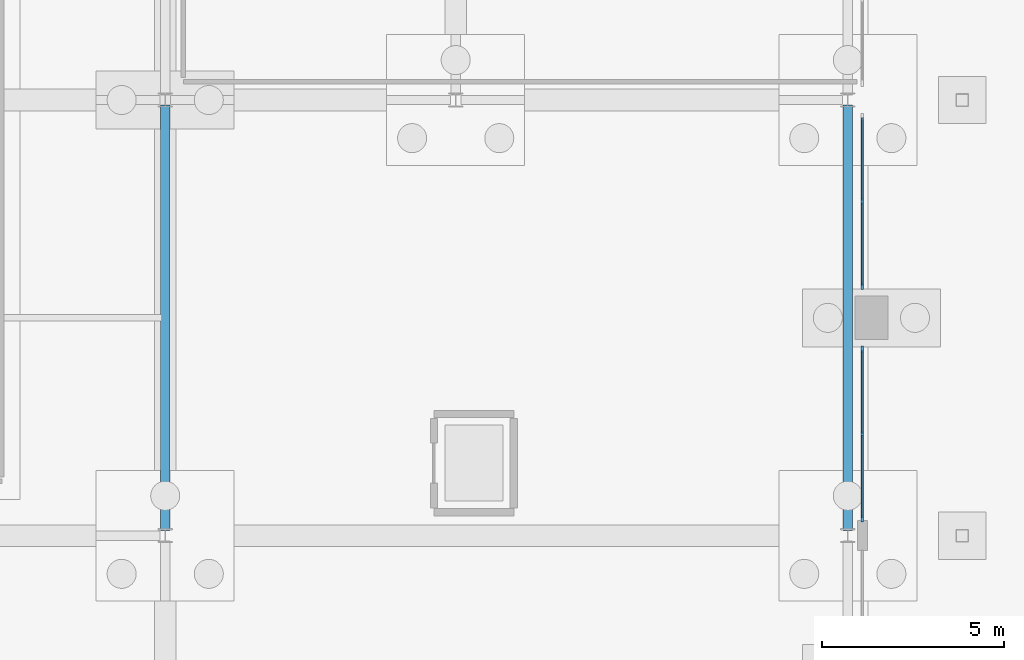
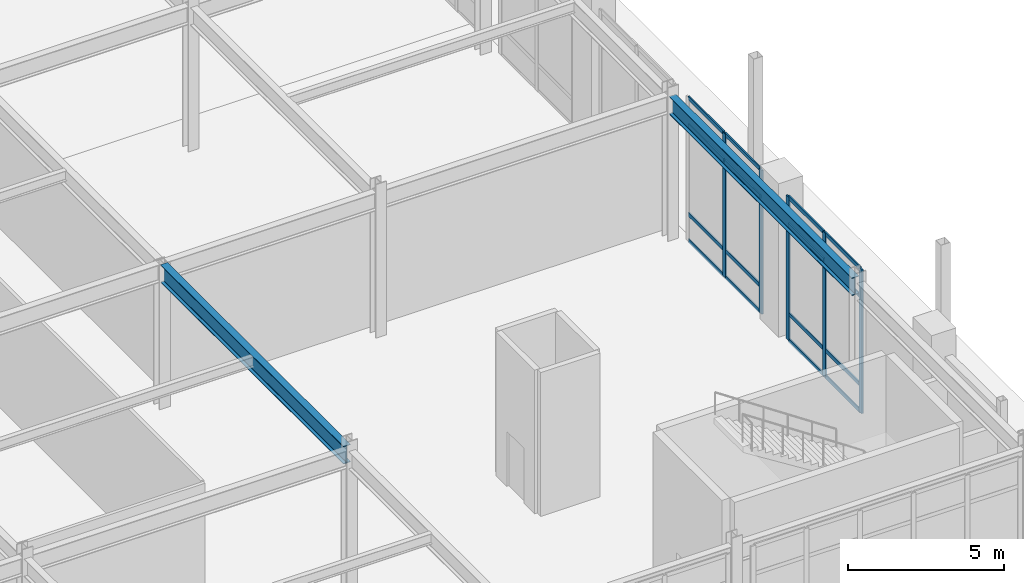
# One storey, part 61 of 143: 21 members, 2 beams, 2 elements without a shape of their own.
"""IFC4 building model written with IfcOpenShell, lengths in metres."""

from ifc_helpers import new_model, si_unit, derived_unit, direction, frame, origin, origin_2d, place, context, subcontext, project, spatial, rectangle, i_section, extrude, material, layer, layer_set, material_profile, profile_set, type_object, element, aggregate, save


model = new_model("IFC4")

# Units and contexts
model_context = context("Model", 3, precision=1e-05, world=origin(), true_north=direction((0.0, 1.0)))
body_context = subcontext(model_context, "Body", "Model", "MODEL_VIEW")
ifc_project = project(units=[si_unit("LENGTHUNIT", "METRE"), si_unit("AREAUNIT", "SQUARE_METRE"), si_unit("VOLUMEUNIT", "CUBIC_METRE"), si_unit("PLANEANGLEUNIT", "RADIAN"), si_unit("MASSUNIT", "GRAM", prefix="KILO"), derived_unit("THERMALTRANSMITTANCEUNIT", [(si_unit("MASSUNIT", "GRAM", prefix="KILO"), 1), (si_unit("TIMEUNIT", "SECOND"), -3), (si_unit("THERMODYNAMICTEMPERATUREUNIT", "KELVIN"), -1)])], contexts=[model_context])

# Site, building, storey
site_placement = place(None, origin())
site = spatial("IfcSite", under=ifc_project, at=site_placement, CompositionType="ELEMENT")
building_placement = place(site_placement, origin())
building = spatial("IfcBuilding", under=site, at=building_placement, Name="Valcora Ridge Arena", CompositionType="ELEMENT")
storey_placement = place(building_placement, origin())
storey = spatial("IfcBuildingStorey", under=building, at=storey_placement, Name="L00", CompositionType="ELEMENT", Elevation=0.0)

# Beams
ifc_material_1 = material(Name="Steel ASTM A572 Grade 50", Category="steel")
ifc_material_profile_1 = material_profile(ifc_material_1, i_section(OverallWidth=0.256103515625, OverallDepth=0.693115234375, WebThickness=0.014404296875, FlangeThickness=0.023681640625, FilletRadius=0.02001953125, at=origin_2d()), Name="W27X114")
ifc_profile_set_1 = profile_set([ifc_material_profile_1], Name="Steel ASTM A572 Grade 50")
beam_type = type_object("IfcBeamType", Name="TY-BEAM-G-W27X114-Y", PredefinedType="BEAM", material=ifc_profile_set_1)
for number, where, z_axis, x_axis, name in (
    (1, (168.0, 16.139892578125, 5.2734375), (0.0, 1.0, 0.0), (-1.0, 0.0, 0.0), "G-W27X114-Y BEM-G-W27X114-Y-0019"),
    (2, (186.800048828125, 16.139892578125, 5.2734375), (0.0, 1.0, 0.0), (-1.0, 0.0, 0.0), "G-W27X114-Y BEM-G-W27X114-Y-0029"),
):
    element("IfcBeam", number, at=place(storey_placement, frame(where, z_axis=z_axis, x_axis=x_axis)), inside=storey, type_object=beam_type, Name=name, PredefinedType="BEAM", context=body_context, shape_type="SweptSolid", body=[
        extrude(i_section(OverallWidth=0.256103515625, OverallDepth=0.693115234375, WebThickness=0.014404296875, FlangeThickness=0.023681640625, FilletRadius=0.02001953125, at=origin_2d()), origin(), (0.0, 0.0, 1.0), 11.72021484375),
    ])

# Curtain wall, members
ifc_material_2 = material(Name="Anodised dark bronze architectural aluminium 6063-T6", Category="aluminium")
ifc_layer = layer(ifc_material_2, 0.179931640625, Name="Anodised dark bronze architectural aluminium 6063-T6")
ifc_layer_set = layer_set([ifc_layer], Name="Anodised dark bronze architectural aluminium 6063-T6")
curtain_wall_type = type_object("IfcCurtainWallType", Name="TY-CURTAINWALL-CW-V2-GLAZ-047X56", PredefinedType="NOTDEFINED", material=ifc_layer_set)
curtain_wall_1_placement = place(storey_placement, origin())
curtain_wall_1 = element("IfcCurtainWall", 3, at=curtain_wall_1_placement, inside=storey, type_object=curtain_wall_type, Name="CW-V2-GLAZ-047X56 CW-0028", PredefinedType="NOTDEFINED")
ifc_material_profile_2 = material_profile(ifc_material_2, rectangle(XDim=0.06005859375, YDim=0.179931640625, at=origin_2d()), Name="ALU MULLION 60x180")
ifc_profile_set_2 = profile_set([ifc_material_profile_2], Name="Anodised dark bronze architectural aluminium 6063-T6")
member_type_1 = type_object("IfcMemberType", Name="TY-MEM-CWM-60x180", PredefinedType="MULLION", material=ifc_profile_set_2)
member_1_placement = place(storey_placement, frame((187.199951171875, 16.462890625, 0.0), z_axis=(0.0, 0.0, 1.0), x_axis=(-1.0, 0.0, 0.0)))
member_1 = element("IfcMember", 4, at=member_1_placement, type_object=member_type_1, Name="CW-0028/CWM-60x180/M00", PredefinedType="MULLION", context=body_context, shape_type="SweptSolid", body=[
    extrude(rectangle(XDim=0.06005859375, YDim=0.179931640625, at=origin_2d()), origin(), (0.0, 0.0, 1.0), 5.6201171875),
])
member_2_placement = place(storey_placement, frame((187.199951171875, 18.79638671875, 0.0), z_axis=(0.0, 0.0, 1.0), x_axis=(-1.0, 0.0, 0.0)))
member_2 = element("IfcMember", 5, at=member_2_placement, type_object=member_type_1, Name="CW-0028/CWM-60x180/M01", PredefinedType="MULLION", context=body_context, shape_type="SweptSolid", body=[
    extrude(rectangle(XDim=0.06005859375, YDim=0.179931640625, at=origin_2d()), origin(), (0.0, 0.0, 1.0), 5.6201171875),
])
member_3_placement = place(storey_placement, frame((187.199951171875, 21.1298828125, 0.0), z_axis=(0.0, 0.0, 1.0), x_axis=(-1.0, 0.0, 0.0)))
member_3 = element("IfcMember", 6, at=member_3_placement, type_object=member_type_1, Name="CW-0028/CWM-60x180/M02", PredefinedType="MULLION", context=body_context, shape_type="SweptSolid", body=[
    extrude(rectangle(XDim=0.06005859375, YDim=0.179931640625, at=origin_2d()), origin(), (0.0, 0.0, 1.0), 5.6201171875),
])

curtain_wall_2_placement = place(storey_placement, origin())
curtain_wall_2 = element("IfcCurtainWall", 7, at=curtain_wall_2_placement, inside=storey, type_object=curtain_wall_type, Name="CW-V2-GLAZ-047X56 CW-0029", PredefinedType="NOTDEFINED")
member_4_placement = place(storey_placement, frame((187.199951171875, 22.8701171875, 0.0), z_axis=(0.0, 0.0, 1.0), x_axis=(-1.0, 0.0, 0.0)))
member_4 = element("IfcMember", 8, at=member_4_placement, type_object=member_type_1, Name="CW-0029/CWM-60x180/M00", PredefinedType="MULLION", context=body_context, shape_type="SweptSolid", body=[
    extrude(rectangle(XDim=0.06005859375, YDim=0.179931640625, at=origin_2d()), origin(), (0.0, 0.0, 1.0), 5.6201171875),
])
member_5_placement = place(storey_placement, frame((187.199951171875, 25.20361328125, 0.0), z_axis=(0.0, 0.0, 1.0), x_axis=(-1.0, 0.0, 0.0)))
member_5 = element("IfcMember", 9, at=member_5_placement, type_object=member_type_1, Name="CW-0029/CWM-60x180/M01", PredefinedType="MULLION", context=body_context, shape_type="SweptSolid", body=[
    extrude(rectangle(XDim=0.06005859375, YDim=0.179931640625, at=origin_2d()), origin(), (0.0, 0.0, 1.0), 5.6201171875),
])

# Member
ifc_material_profile_3 = material_profile(ifc_material_2, rectangle(XDim=0.050048828125, YDim=0.14990234375, at=origin_2d()), Name="ALU TRANSOM 50x150")
ifc_profile_set_3 = profile_set([ifc_material_profile_3], Name="Anodised dark bronze architectural aluminium 6063-T6")
member_type_2 = type_object("IfcMemberType", Name="TY-MEM-CWT-50x150", PredefinedType="USERDEFINED", material=ifc_profile_set_3)
member_6_placement = place(storey_placement, frame((187.199951171875, 16.492919921875, 0.02490234375), z_axis=(0.0, 1.0, 0.0), x_axis=(-1.0, 0.0, 0.0)))
member_6 = element("IfcMember", 10, at=member_6_placement, type_object=member_type_2, Name="CW-0028/CWT-50x150/T00-00", ObjectType="TRANSOM", PredefinedType="USERDEFINED", context=body_context, shape_type="SweptSolid", body=[
    extrude(rectangle(XDim=0.050048828125, YDim=0.14990234375, at=origin_2d()), origin(), (0.0, 0.0, 1.0), 2.274169921875),
])

member_7_placement = place(storey_placement, frame((187.199951171875, 16.492919921875, 1.050048828125), z_axis=(0.0, 1.0, 0.0), x_axis=(-1.0, 0.0, 0.0)))
member_7 = element("IfcMember", 11, at=member_7_placement, type_object=member_type_2, Name="CW-0028/CWT-50x150/T00-01", ObjectType="TRANSOM", PredefinedType="USERDEFINED", context=body_context, shape_type="SweptSolid", body=[
    extrude(rectangle(XDim=0.050048828125, YDim=0.14990234375, at=origin_2d()), origin(), (0.0, 0.0, 1.0), 2.274169921875),
])

member_8_placement = place(storey_placement, frame((187.199951171875, 16.492919921875, 4.52001953125), z_axis=(0.0, 1.0, 0.0), x_axis=(-1.0, 0.0, 0.0)))
member_8 = element("IfcMember", 12, at=member_8_placement, type_object=member_type_2, Name="CW-0028/CWT-50x150/T00-02", ObjectType="TRANSOM", PredefinedType="USERDEFINED", context=body_context, shape_type="SweptSolid", body=[
    extrude(rectangle(XDim=0.050048828125, YDim=0.14990234375, at=origin_2d()), origin(), (0.0, 0.0, 1.0), 2.274169921875),
])

member_9_placement = place(storey_placement, frame((187.199951171875, 16.492919921875, 5.594970703125), z_axis=(0.0, 1.0, 0.0), x_axis=(-1.0, 0.0, 0.0)))
member_9 = element("IfcMember", 13, at=member_9_placement, type_object=member_type_2, Name="CW-0028/CWT-50x150/T00-03", ObjectType="TRANSOM", PredefinedType="USERDEFINED", context=body_context, shape_type="SweptSolid", body=[
    extrude(rectangle(XDim=0.050048828125, YDim=0.14990234375, at=origin_2d()), origin(), (0.0, 0.0, 1.0), 2.274169921875),
])

member_10_placement = place(storey_placement, frame((187.199951171875, 18.825927734375, 0.02490234375), z_axis=(0.0, 1.0, 0.0), x_axis=(-1.0, 0.0, 0.0)))
member_10 = element("IfcMember", 14, at=member_10_placement, type_object=member_type_2, Name="CW-0028/CWT-50x150/T01-00", ObjectType="TRANSOM", PredefinedType="USERDEFINED", context=body_context, shape_type="SweptSolid", body=[
    extrude(rectangle(XDim=0.050048828125, YDim=0.14990234375, at=origin_2d()), origin(), (0.0, 0.0, 1.0), 2.274169921875),
])

member_11_placement = place(storey_placement, frame((187.199951171875, 18.825927734375, 1.050048828125), z_axis=(0.0, 1.0, 0.0), x_axis=(-1.0, 0.0, 0.0)))
member_11 = element("IfcMember", 15, at=member_11_placement, type_object=member_type_2, Name="CW-0028/CWT-50x150/T01-01", ObjectType="TRANSOM", PredefinedType="USERDEFINED", context=body_context, shape_type="SweptSolid", body=[
    extrude(rectangle(XDim=0.050048828125, YDim=0.14990234375, at=origin_2d()), origin(), (0.0, 0.0, 1.0), 2.274169921875),
])

member_12_placement = place(storey_placement, frame((187.199951171875, 18.825927734375, 4.52001953125), z_axis=(0.0, 1.0, 0.0), x_axis=(-1.0, 0.0, 0.0)))
member_12 = element("IfcMember", 16, at=member_12_placement, type_object=member_type_2, Name="CW-0028/CWT-50x150/T01-02", ObjectType="TRANSOM", PredefinedType="USERDEFINED", context=body_context, shape_type="SweptSolid", body=[
    extrude(rectangle(XDim=0.050048828125, YDim=0.14990234375, at=origin_2d()), origin(), (0.0, 0.0, 1.0), 2.274169921875),
])

member_13_placement = place(storey_placement, frame((187.199951171875, 18.825927734375, 5.594970703125), z_axis=(0.0, 1.0, 0.0), x_axis=(-1.0, 0.0, 0.0)))
member_13 = element("IfcMember", 17, at=member_13_placement, type_object=member_type_2, Name="CW-0028/CWT-50x150/T01-03", ObjectType="TRANSOM", PredefinedType="USERDEFINED", context=body_context, shape_type="SweptSolid", body=[
    extrude(rectangle(XDim=0.050048828125, YDim=0.14990234375, at=origin_2d()), origin(), (0.0, 0.0, 1.0), 2.274169921875),
])

aggregate(curtain_wall_1, [member_1, member_2, member_3, member_6, member_7, member_8, member_9, member_10, member_11, member_12, member_13])

member_14_placement = place(storey_placement, frame((187.199951171875, 22.89990234375, 0.02490234375), z_axis=(0.0, 1.0, 0.0), x_axis=(-1.0, 0.0, 0.0)))
member_14 = element("IfcMember", 18, at=member_14_placement, type_object=member_type_2, Name="CW-0029/CWT-50x150/T00-00", ObjectType="TRANSOM", PredefinedType="USERDEFINED", context=body_context, shape_type="SweptSolid", body=[
    extrude(rectangle(XDim=0.050048828125, YDim=0.14990234375, at=origin_2d()), origin(), (0.0, 0.0, 1.0), 2.274169921875),
])

member_15_placement = place(storey_placement, frame((187.199951171875, 22.89990234375, 1.050048828125), z_axis=(0.0, 1.0, 0.0), x_axis=(-1.0, 0.0, 0.0)))
member_15 = element("IfcMember", 19, at=member_15_placement, type_object=member_type_2, Name="CW-0029/CWT-50x150/T00-01", ObjectType="TRANSOM", PredefinedType="USERDEFINED", context=body_context, shape_type="SweptSolid", body=[
    extrude(rectangle(XDim=0.050048828125, YDim=0.14990234375, at=origin_2d()), origin(), (0.0, 0.0, 1.0), 2.274169921875),
])

member_16_placement = place(storey_placement, frame((187.199951171875, 22.89990234375, 4.52001953125), z_axis=(0.0, 1.0, 0.0), x_axis=(-1.0, 0.0, 0.0)))
member_16 = element("IfcMember", 20, at=member_16_placement, type_object=member_type_2, Name="CW-0029/CWT-50x150/T00-02", ObjectType="TRANSOM", PredefinedType="USERDEFINED", context=body_context, shape_type="SweptSolid", body=[
    extrude(rectangle(XDim=0.050048828125, YDim=0.14990234375, at=origin_2d()), origin(), (0.0, 0.0, 1.0), 2.274169921875),
])

member_17_placement = place(storey_placement, frame((187.199951171875, 22.89990234375, 5.594970703125), z_axis=(0.0, 1.0, 0.0), x_axis=(-1.0, 0.0, 0.0)))
member_17 = element("IfcMember", 21, at=member_17_placement, type_object=member_type_2, Name="CW-0029/CWT-50x150/T00-03", ObjectType="TRANSOM", PredefinedType="USERDEFINED", context=body_context, shape_type="SweptSolid", body=[
    extrude(rectangle(XDim=0.050048828125, YDim=0.14990234375, at=origin_2d()), origin(), (0.0, 0.0, 1.0), 2.274169921875),
])

member_18_placement = place(storey_placement, frame((187.199951171875, 25.23291015625, 0.02490234375), z_axis=(0.0, 1.0, 0.0), x_axis=(-1.0, 0.0, 0.0)))
member_18 = element("IfcMember", 22, at=member_18_placement, type_object=member_type_2, Name="CW-0029/CWT-50x150/T01-00", ObjectType="TRANSOM", PredefinedType="USERDEFINED", context=body_context, shape_type="SweptSolid", body=[
    extrude(rectangle(XDim=0.050048828125, YDim=0.14990234375, at=origin_2d()), origin(), (0.0, 0.0, 1.0), 2.274169921875),
])

member_19_placement = place(storey_placement, frame((187.199951171875, 25.23291015625, 1.050048828125), z_axis=(0.0, 1.0, 0.0), x_axis=(-1.0, 0.0, 0.0)))
member_19 = element("IfcMember", 23, at=member_19_placement, type_object=member_type_2, Name="CW-0029/CWT-50x150/T01-01", ObjectType="TRANSOM", PredefinedType="USERDEFINED", context=body_context, shape_type="SweptSolid", body=[
    extrude(rectangle(XDim=0.050048828125, YDim=0.14990234375, at=origin_2d()), origin(), (0.0, 0.0, 1.0), 2.274169921875),
])

member_20_placement = place(storey_placement, frame((187.199951171875, 25.23291015625, 4.52001953125), z_axis=(0.0, 1.0, 0.0), x_axis=(-1.0, 0.0, 0.0)))
member_20 = element("IfcMember", 24, at=member_20_placement, type_object=member_type_2, Name="CW-0029/CWT-50x150/T01-02", ObjectType="TRANSOM", PredefinedType="USERDEFINED", context=body_context, shape_type="SweptSolid", body=[
    extrude(rectangle(XDim=0.050048828125, YDim=0.14990234375, at=origin_2d()), origin(), (0.0, 0.0, 1.0), 2.274169921875),
])

member_21_placement = place(storey_placement, frame((187.199951171875, 25.23291015625, 5.594970703125), z_axis=(0.0, 1.0, 0.0), x_axis=(-1.0, 0.0, 0.0)))
member_21 = element("IfcMember", 25, at=member_21_placement, type_object=member_type_2, Name="CW-0029/CWT-50x150/T01-03", ObjectType="TRANSOM", PredefinedType="USERDEFINED", context=body_context, shape_type="SweptSolid", body=[
    extrude(rectangle(XDim=0.050048828125, YDim=0.14990234375, at=origin_2d()), origin(), (0.0, 0.0, 1.0), 2.274169921875),
])

aggregate(curtain_wall_2, [member_4, member_5, member_14, member_15, member_16, member_17, member_18, member_19, member_20, member_21])

save(model, "model.ifc")
